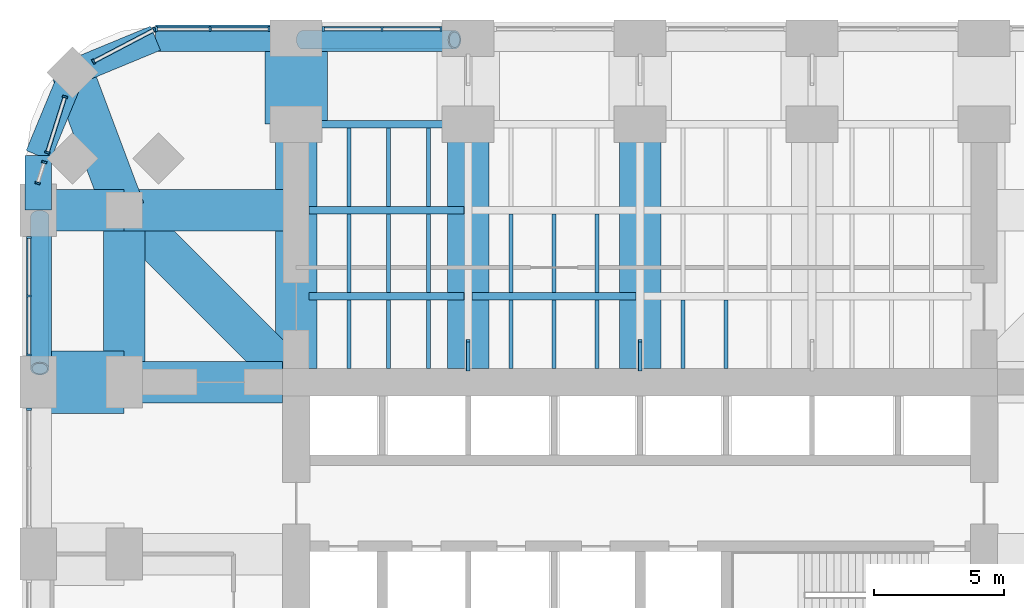
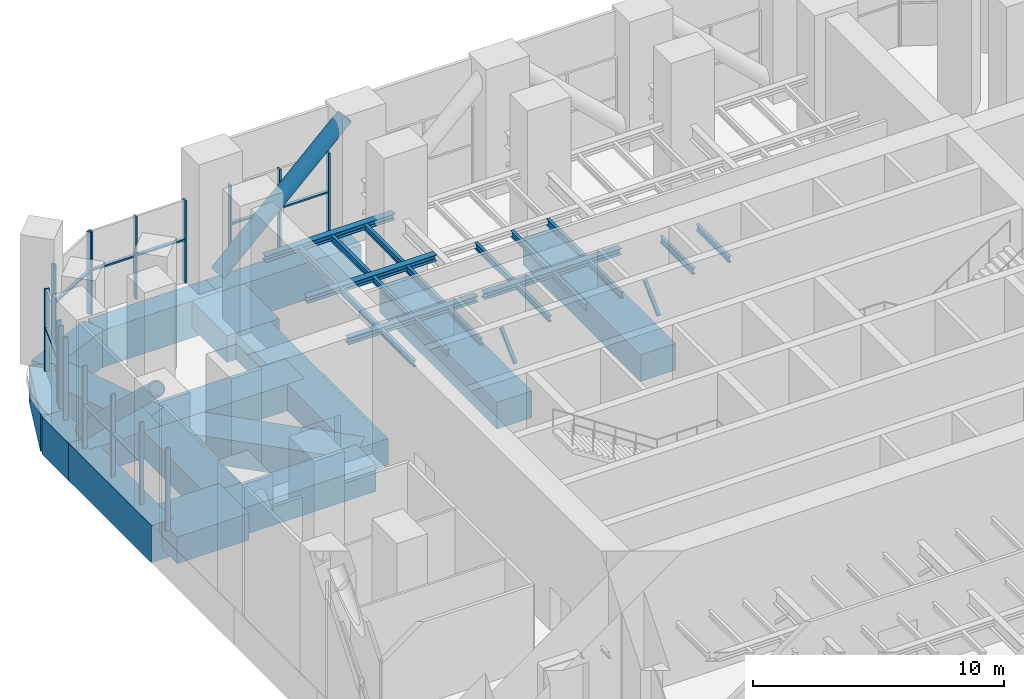
# One storey, part 7 of 16: 38 beams, 28 members, 7 elements without a shape of their own.
"""IFC4 building model written with IfcOpenShell, lengths in metres."""

import ifcopenshell
import ifcopenshell.guid

model = None  # the IFC model being written
_history = None  # IfcOwnerHistory: only IFC2X3 demands one
_inside = {}  # id of a spatial element -> (the spatial element, [elements in it])
_under = {}  # id of a project, library or spatial element -> (it, [spatial elements below it])
_declared = {}  # id of a project -> (the project, [libraries it declares])
_typed = {}  # id of a type object -> (the type object, [elements of that type])
_made_of = {}  # id of a material, layer set ... -> (it, [elements and type objects made of it])


def new_model(schema):
    """Start an empty IFC model of exactly this schema.

    Asked for "IFC4X3", IfcOpenShell would pick the latest addendum, in which some entities
    have other attributes; the version numbers below select the first issue.
    IFC2X3 requires an IfcOwnerHistory on every rooted entity: one is made here for all.
    """
    global model, _history
    if schema == "IFC4X3":
        model = ifcopenshell.file(schema_version=(4, 3, 0, 0))
    else:
        model = ifcopenshell.file(schema=schema)
    _inside.clear()
    _under.clear()
    _declared.clear()
    _typed.clear()
    _made_of.clear()
    _history = None
    if model.schema == "IFC2X3":
        org = make("IfcOrganization", Name="unknown")
        user = make(
            "IfcPersonAndOrganization",
            ThePerson=make("IfcPerson", FamilyName="unknown"),
            TheOrganization=org,
        )
        app = make(
            "IfcApplication",
            ApplicationDeveloper=org,
            Version="unknown",
            ApplicationFullName="unknown",
            ApplicationIdentifier="unknown",
        )
        _history = make(
            "IfcOwnerHistory",
            OwningUser=user,
            OwningApplication=app,
            ChangeAction="ADDED",
            CreationDate=0,
        )
    return model


def make(cls, **values):
    """One entity of the class cls with the attributes given. An attribute that is None is left unset."""
    return model.create_entity(
        cls, **{name: value for name, value in values.items() if value is not None}
    )


def rooted(cls, **values):
    """An entity with a GlobalId (a new one), such as an element, a storey or a relation."""
    return make(cls, GlobalId=ifcopenshell.guid.new(), OwnerHistory=_history, **values)


def si_unit(unit_type, name, prefix=None):
    """IfcSIUnit, for example si_unit("LENGTHUNIT", "METRE", prefix="MILLI")."""
    return make("IfcSIUnit", UnitType=unit_type, Prefix=prefix, Name=name)


def assignment(units):
    """IfcUnitAssignment: the units of a project."""
    return None if units is None else make("IfcUnitAssignment", Units=units)


def point(xyz):
    """IfcCartesianPoint."""
    return None if xyz is None else make("IfcCartesianPoint", Coordinates=xyz)


def direction(xyz):
    """IfcDirection."""
    return None if xyz is None else make("IfcDirection", DirectionRatios=xyz)


def frame(location, z_axis=None, x_axis=None):
    """IfcAxis2Placement3D, a coordinate frame: its origin and axes. An axis left out is left unset."""
    return make(
        "IfcAxis2Placement3D",
        Location=point(location),
        Axis=direction(z_axis),
        RefDirection=direction(x_axis),
    )


def frame_2d(location, x_axis=None):
    """IfcAxis2Placement2D, a coordinate frame in the plane: its origin and x axis."""
    return make(
        "IfcAxis2Placement2D", Location=point(location), RefDirection=direction(x_axis)
    )


def origin():
    """The frame at (0, 0, 0) with its axes left unset."""
    return frame((0.0, 0.0, 0.0))


def origin_2d():
    """The frame at (0, 0) in the plane with its x axis left unset."""
    return frame_2d((0.0, 0.0))


def place(relative_to, where):
    """IfcLocalPlacement: puts the frame where relative to a parent placement (None: the world)."""
    return make(
        "IfcLocalPlacement", PlacementRelTo=relative_to, RelativePlacement=where
    )


def context(
    kind, dimensions, precision=None, world=None, true_north=None, identifier=None
):
    """IfcGeometricRepresentationContext, for example the 3D "Model" context."""
    return make(
        "IfcGeometricRepresentationContext",
        ContextIdentifier=identifier,
        ContextType=kind,
        CoordinateSpaceDimension=dimensions,
        Precision=precision,
        WorldCoordinateSystem=world,
        TrueNorth=true_north,
    )


def subcontext(parent, identifier, kind, view, scale=None):
    """IfcGeometricRepresentationSubContext, for example "Body" below "Model"."""
    return make(
        "IfcGeometricRepresentationSubContext",
        ContextIdentifier=identifier,
        ContextType=kind,
        ParentContext=parent,
        TargetScale=scale,
        TargetView=view,
    )


def project(units=None, contexts=None):
    """IfcProject with its units and contexts."""
    return rooted(
        "IfcProject",
        Name="project",
        RepresentationContexts=contexts,
        UnitsInContext=assignment(units),
    )


def spatial(cls, under=None, at=None, **own):
    """A site, building, storey or space (cls), placed at a placement, below another one or the project."""
    s = rooted(cls, ObjectPlacement=at, **own)
    if under is not None:
        _under.setdefault(under.id(), (under, []))[1].append(s)
    return s


def profile(cls, at=None, kind="AREA", **sizes):
    """A parametric profile (cls). Its sizes go by their IFC names, for example OverallWidth=200.0."""
    return make(cls, ProfileType=kind, Position=at, **sizes)


def rectangle(**sizes):
    """IfcRectangleProfileDef."""
    return profile("IfcRectangleProfileDef", **sizes)


def hollow_rectangle(**sizes):
    """IfcRectangleHollowProfileDef."""
    return profile("IfcRectangleHollowProfileDef", **sizes)


def hollow_circle(**sizes):
    """IfcCircleHollowProfileDef."""
    return profile("IfcCircleHollowProfileDef", **sizes)


def i_section(**sizes):
    """IfcIShapeProfileDef."""
    return profile("IfcIShapeProfileDef", **sizes)


def extrude(swept, where, along, depth):
    """IfcExtrudedAreaSolid: the profile swept, set in the frame where, extruded along a direction by depth."""
    return make(
        "IfcExtrudedAreaSolid",
        SweptArea=swept,
        Position=where,
        ExtrudedDirection=direction(along),
        Depth=depth,
    )


def shape(context_of_items, identifier, shape_type, items):
    """IfcShapeRepresentation: the items that make up one representation, for example the "Body"."""
    return make(
        "IfcShapeRepresentation",
        ContextOfItems=context_of_items,
        RepresentationIdentifier=identifier,
        RepresentationType=shape_type,
        Items=items,
    )


def material(Name=None, Category=None):
    """IfcMaterial."""
    return make("IfcMaterial", Name=Name, Category=Category)


def material_profile(
    of_material, cross_section, Name=None, Category=None, Priority=None
):
    """IfcMaterialProfile: a cross section and its material."""
    return make(
        "IfcMaterialProfile",
        Name=Name,
        Material=of_material,
        Profile=cross_section,
        Priority=Priority,
        Category=Category,
    )


def profile_set(profiles, Name=None, composite=None):
    """IfcMaterialProfileSet."""
    return make(
        "IfcMaterialProfileSet",
        Name=Name,
        MaterialProfiles=profiles,
        CompositeProfile=composite,
    )


def made_of(thing, what):
    """Note that an element or type object is made of a material, layer set ...; save() writes the relation."""
    if what is not None:
        _made_of.setdefault(what.id(), (what, []))[1].append(thing)
    return thing


def type_object(cls, material=None, **own):
    """A type object (cls), such as IfcWallType, which elements share."""
    return made_of(rooted(cls, **own), material)


def element(
    cls,
    number,
    at=None,
    inside=None,
    cuts=None,
    type_object=None,
    material=None,
    context=None,
    identifier="Body",
    shape_type=None,
    held_by="IfcProductDefinitionShape",
    body=None,
    shapes=None,
    **own,
):
    """One element of the class cls, such as IfcWall. Its Tag is "e" and its number.

    at: its placement. inside: the storey or other place that contains it. cuts: it is an
    opening in that element (IfcRelVoidsElement). A single representation is given by context,
    identifier, shape_type and body (its items); several are given by shapes. held_by: the class
    of the entity that holds the representations. save() writes the other relations.
    """
    e = rooted(cls, Tag="e%d" % number, ObjectPlacement=at, **own)
    if body is not None:
        shapes = [shape(context, identifier, shape_type, body)]
    if shapes is not None:
        e.Representation = make(held_by, Representations=shapes)
    if inside is not None:
        _inside.setdefault(inside.id(), (inside, []))[1].append(e)
    if cuts is not None:
        rooted(
            "IfcRelVoidsElement", RelatingBuildingElement=cuts, RelatedOpeningElement=e
        )
    if type_object is not None:
        _typed.setdefault(type_object.id(), (type_object, []))[1].append(e)
    return made_of(e, material)


def aggregate(whole, parts):
    """IfcRelAggregates: a whole, such as a stair, and the parts it consists of."""
    return rooted("IfcRelAggregates", RelatingObject=whole, RelatedObjects=parts)


def save(model, path):
    """Write the relations noted so far, then the file.

    IfcRelAggregates (storeys below a building ...), IfcRelContainedInSpatialStructure (elements
    in a storey), IfcRelDefinesByType, IfcRelAssociatesMaterial and IfcRelDeclares: one each for
    every whole, place, type object, material and project.
    """
    for whole, parts in _under.values():
        aggregate(whole, parts)
    for where, things in _inside.values():
        rooted(
            "IfcRelContainedInSpatialStructure",
            RelatedElements=things,
            RelatingStructure=where,
        )
    for kind, things in _typed.values():
        rooted("IfcRelDefinesByType", RelatedObjects=things, RelatingType=kind)
    for what, things in _made_of.values():
        rooted("IfcRelAssociatesMaterial", RelatedObjects=things, RelatingMaterial=what)
    for by, libraries in _declared.values():
        rooted("IfcRelDeclares", RelatingContext=by, RelatedDefinitions=libraries)
    model.write(path)


model = new_model("IFC4")

# Units and contexts
model_context = context("Model", 3, precision=1e-05, world=origin(), true_north=direction((0.0, 1.0)))
body_context = subcontext(model_context, "Body", "Model", "MODEL_VIEW")
ifc_project = project(units=[si_unit("LENGTHUNIT", "METRE"), si_unit("AREAUNIT", "SQUARE_METRE"), si_unit("VOLUMEUNIT", "CUBIC_METRE"), si_unit("PLANEANGLEUNIT", "RADIAN"), si_unit("MASSUNIT", "GRAM", prefix="KILO")], contexts=[model_context])

# Site, building, storey
site_placement = place(None, origin())
site = spatial("IfcSite", under=ifc_project, at=site_placement, CompositionType="ELEMENT")
building_placement = place(site_placement, origin())
building = spatial("IfcBuilding", under=site, at=building_placement, Name="Cobogo Forest Laboratory Tower", CompositionType="ELEMENT")
storey_placement = place(building_placement, frame((0.0, 0.0, 149.39990234375)))
storey = spatial("IfcBuildingStorey", under=building, at=storey_placement, Name="L34", CompositionType="ELEMENT", Elevation=149.39990234375)

# Members
ifc_material_1 = material(Name="Steel S460NH", Category="steel")
ifc_material_profile_1 = material_profile(ifc_material_1, hollow_circle(Radius=0.35546875, WallThickness=0.06005859375, at=origin_2d()), Name="CHS 711x60")
ifc_profile_set_1 = profile_set([ifc_material_profile_1], Name="Steel S460NH")
member_type_1 = type_object("IfcMemberType", Name="Belt truss diagonal CHS 711x60", PredefinedType="BRACE", material=ifc_profile_set_1)
for number, where, z_axis, x_axis, name in (
    (1, (13.449951171875, 46.139892578125, 0.23876953125), (0.723363796511, 0.0, 0.690467101242), (0.0, 1.0, 0.0), "BT1 belt truss diagonal N11 L34"),
    (2, (3.360107421875, 39.35009765625, 0.23876953125), (0.0, -0.723363796511, 0.690467101242), (1.0, 0.0, 0.0), "BT1 belt truss diagonal W20 L34"),
):
    element("IfcMember", number, at=place(storey_placement, frame(where, z_axis=z_axis, x_axis=x_axis)), inside=storey, type_object=member_type_1, Name=name, PredefinedType="BRACE", context=body_context, shape_type="SweptSolid", body=[
        extrude(hollow_circle(Radius=0.35546875, WallThickness=0.06005859375, at=origin_2d()), origin(), (0.0, 0.0, 1.0), 8.0595703125),
    ])

# Curtain wall, members
ifc_material_2 = material(Name="Aluminium curtain wall", Category="aluminium")
curtain_wall_type = type_object("IfcCurtainWallType", Name="CW-P louvred curtain wall, plant floors", PredefinedType="USERDEFINED", material=ifc_material_2)
curtain_wall_1_placement = place(storey_placement, origin())
curtain_wall_1 = element("IfcCurtainWall", 3, at=curtain_wall_1_placement, inside=storey, type_object=curtain_wall_type, Name="Curtain wall 22 L34", ObjectType="LOUVRED CURTAIN WALL", PredefinedType="USERDEFINED")
ifc_material_3 = material(Name="Aluminium mullion", Category="aluminium")
ifc_material_profile_2 = material_profile(ifc_material_3, rectangle(XDim=0.080078125, YDim=0.199951171875, at=origin_2d()), Name="AL 80x200")
ifc_profile_set_2 = profile_set([ifc_material_profile_2], Name="Aluminium mullion")
member_type_2 = type_object("IfcMemberType", Name="MU-3 aluminium louvre mullion 80x200", PredefinedType="MULLION", material=ifc_profile_set_2)
member_1_placement = place(storey_placement, frame((18.760009765625, 46.550048828125, 0.0), z_axis=(0.0, 0.0, 1.0), x_axis=(-1.0, 0.0, 0.0)))
member_1 = element("IfcMember", 4, at=member_1_placement, type_object=member_type_2, Name="CW-P mullion 1", PredefinedType="MULLION", context=body_context, shape_type="SweptSolid", body=[
    extrude(rectangle(XDim=0.080078125, YDim=0.199951171875, at=origin_2d()), origin(), (0.0, 0.0, 1.0), 4.0),
])
member_2_placement = place(storey_placement, frame((16.5, 46.550048828125, 0.0), z_axis=(0.0, 0.0, 1.0), x_axis=(-1.0, 0.0, 0.0)))
member_2 = element("IfcMember", 5, at=member_2_placement, type_object=member_type_2, Name="CW-P mullion 2", PredefinedType="MULLION", context=body_context, shape_type="SweptSolid", body=[
    extrude(rectangle(XDim=0.080078125, YDim=0.199951171875, at=origin_2d()), origin(), (0.0, 0.0, 1.0), 4.0),
])
member_3_placement = place(storey_placement, frame((14.239990234375, 46.550048828125, 0.0), z_axis=(0.0, 0.0, 1.0), x_axis=(-1.0, 0.0, 0.0)))
member_3 = element("IfcMember", 6, at=member_3_placement, type_object=member_type_2, Name="CW-P mullion 3", PredefinedType="MULLION", context=body_context, shape_type="SweptSolid", body=[
    extrude(rectangle(XDim=0.080078125, YDim=0.199951171875, at=origin_2d()), origin(), (0.0, 0.0, 1.0), 4.0),
])

curtain_wall_2_placement = place(storey_placement, origin())
curtain_wall_2 = element("IfcCurtainWall", 7, at=curtain_wall_2_placement, inside=storey, type_object=curtain_wall_type, Name="Curtain wall 23 L34", ObjectType="LOUVRED CURTAIN WALL", PredefinedType="USERDEFINED")
member_4_placement = place(storey_placement, frame((12.159912109375, 46.550048828125, 0.0), z_axis=(0.0, 0.0, 1.0), x_axis=(-1.0, 0.0, 0.0)))
member_4 = element("IfcMember", 8, at=member_4_placement, type_object=member_type_2, Name="CW-P mullion 1", PredefinedType="MULLION", context=body_context, shape_type="SweptSolid", body=[
    extrude(rectangle(XDim=0.080078125, YDim=0.199951171875, at=origin_2d()), origin(), (0.0, 0.0, 1.0), 4.0),
])
member_5_placement = place(storey_placement, frame((9.89990234375, 46.550048828125, 0.0), z_axis=(0.0, 0.0, 1.0), x_axis=(-1.0, 0.0, 0.0)))
member_5 = element("IfcMember", 9, at=member_5_placement, type_object=member_type_2, Name="CW-P mullion 2", PredefinedType="MULLION", context=body_context, shape_type="SweptSolid", body=[
    extrude(rectangle(XDim=0.080078125, YDim=0.199951171875, at=origin_2d()), origin(), (0.0, 0.0, 1.0), 4.0),
])
member_6_placement = place(storey_placement, frame((7.840087890625, 46.550048828125, 0.0), z_axis=(0.0, 0.0, 1.0), x_axis=(-1.0, 0.0, 0.0)))
member_6 = element("IfcMember", 10, at=member_6_placement, type_object=member_type_2, Name="CW-P mullion 3", PredefinedType="MULLION", context=body_context, shape_type="SweptSolid", body=[
    extrude(rectangle(XDim=0.080078125, YDim=0.199951171875, at=origin_2d()), origin(), (0.0, 0.0, 1.0), 4.0),
])

curtain_wall_3_placement = place(storey_placement, origin())
curtain_wall_3 = element("IfcCurtainWall", 11, at=curtain_wall_3_placement, inside=storey, type_object=curtain_wall_type, Name="Curtain wall 24 L34", ObjectType="LOUVRED CURTAIN WALL", PredefinedType="USERDEFINED")
member_7_placement = place(storey_placement, frame((7.7646484375, 46.531494140625, 0.0), z_axis=(0.0, 0.0, 1.0), x_axis=(-0.885686540666, -0.464283697413, 0.0)))
member_7 = element("IfcMember", 12, at=member_7_placement, type_object=member_type_2, Name="CW-P mullion 1", PredefinedType="MULLION", context=body_context, shape_type="SweptSolid", body=[
    extrude(rectangle(XDim=0.080078125, YDim=0.199951171875, at=origin_2d()), origin(), (0.0, 0.0, 1.0), 4.0),
])
member_8_placement = place(storey_placement, frame((5.423583984375, 45.30419921875, 0.0), z_axis=(0.0, 0.0, 1.0), x_axis=(-0.885686540666, -0.464283697413, 0.0)))
member_8 = element("IfcMember", 13, at=member_8_placement, type_object=member_type_2, Name="CW-P mullion 2", PredefinedType="MULLION", context=body_context, shape_type="SweptSolid", body=[
    extrude(rectangle(XDim=0.080078125, YDim=0.199951171875, at=origin_2d()), origin(), (0.0, 0.0, 1.0), 4.0),
])

curtain_wall_4_placement = place(storey_placement, origin())
curtain_wall_4 = element("IfcCurtainWall", 14, at=curtain_wall_4_placement, inside=storey, type_object=curtain_wall_type, Name="Curtain wall 25 L34", ObjectType="LOUVRED CURTAIN WALL", PredefinedType="USERDEFINED")
member_9_placement = place(storey_placement, frame((4.32421875, 43.95166015625, 0.0), z_axis=(0.0, 0.0, 1.0), x_axis=(-0.301135343623, -0.953581409645, 0.0)))
member_9 = element("IfcMember", 15, at=member_9_placement, type_object=member_type_2, Name="CW-P mullion 1", PredefinedType="MULLION", context=body_context, shape_type="SweptSolid", body=[
    extrude(rectangle(XDim=0.080078125, YDim=0.199951171875, at=origin_2d()), origin(), (0.0, 0.0, 1.0), 4.0),
])
member_10_placement = place(storey_placement, frame((3.648681640625, 41.8125, 0.0), z_axis=(0.0, 0.0, 1.0), x_axis=(-0.301135343623, -0.953581409645, 0.0)))
member_10 = element("IfcMember", 16, at=member_10_placement, type_object=member_type_2, Name="CW-P mullion 2", PredefinedType="MULLION", context=body_context, shape_type="SweptSolid", body=[
    extrude(rectangle(XDim=0.080078125, YDim=0.199951171875, at=origin_2d()), origin(), (0.0, 0.0, 1.0), 4.0),
])

curtain_wall_5_placement = place(storey_placement, origin())
curtain_wall_5 = element("IfcCurtainWall", 17, at=curtain_wall_5_placement, inside=storey, type_object=curtain_wall_type, Name="Curtain wall 26 L34", ObjectType="LOUVRED CURTAIN WALL", PredefinedType="USERDEFINED")
member_11_placement = place(storey_placement, frame((3.5322265625, 41.44384765625, 0.0), z_axis=(0.0, 0.0, 1.0), x_axis=(-0.301135352577, -0.953581406818, 0.0)))
member_11 = element("IfcMember", 18, at=member_11_placement, type_object=member_type_2, Name="CW-P mullion 1", PredefinedType="MULLION", context=body_context, shape_type="SweptSolid", body=[
    extrude(rectangle(XDim=0.080078125, YDim=0.199951171875, at=origin_2d()), origin(), (0.0, 0.0, 1.0), 4.0),
])
member_12_placement = place(storey_placement, frame((3.27783203125, 40.63818359375, 0.0), z_axis=(0.0, 0.0, 1.0), x_axis=(-0.301135352577, -0.953581406818, 0.0)))
member_12 = element("IfcMember", 19, at=member_12_placement, type_object=member_type_2, Name="CW-P mullion 2", PredefinedType="MULLION", context=body_context, shape_type="SweptSolid", body=[
    extrude(rectangle(XDim=0.080078125, YDim=0.199951171875, at=origin_2d()), origin(), (0.0, 0.0, 1.0), 4.0),
])
aggregate(curtain_wall_5, [member_11, member_12])

curtain_wall_6_placement = place(storey_placement, origin())
curtain_wall_6 = element("IfcCurtainWall", 20, at=curtain_wall_6_placement, inside=storey, type_object=curtain_wall_type, Name="Curtain wall 27 L34", ObjectType="LOUVRED CURTAIN WALL", PredefinedType="USERDEFINED")
member_13_placement = place(storey_placement, frame((2.949951171875, 38.56005859375, 0.0), z_axis=(0.0, 0.0, 1.0), x_axis=(0.0, -1.0, 0.0)))
member_13 = element("IfcMember", 21, at=member_13_placement, type_object=member_type_2, Name="CW-P mullion 1", PredefinedType="MULLION", context=body_context, shape_type="SweptSolid", body=[
    extrude(rectangle(XDim=0.080078125, YDim=0.199951171875, at=origin_2d()), origin(), (0.0, 0.0, 1.0), 4.0),
])
member_14_placement = place(storey_placement, frame((2.949951171875, 36.300048828125, 0.0), z_axis=(0.0, 0.0, 1.0), x_axis=(0.0, -1.0, 0.0)))
member_14 = element("IfcMember", 22, at=member_14_placement, type_object=member_type_2, Name="CW-P mullion 2", PredefinedType="MULLION", context=body_context, shape_type="SweptSolid", body=[
    extrude(rectangle(XDim=0.080078125, YDim=0.199951171875, at=origin_2d()), origin(), (0.0, 0.0, 1.0), 4.0),
])
member_15_placement = place(storey_placement, frame((2.949951171875, 34.0400390625, 0.0), z_axis=(0.0, 0.0, 1.0), x_axis=(0.0, -1.0, 0.0)))
member_15 = element("IfcMember", 23, at=member_15_placement, type_object=member_type_2, Name="CW-P mullion 3", PredefinedType="MULLION", context=body_context, shape_type="SweptSolid", body=[
    extrude(rectangle(XDim=0.080078125, YDim=0.199951171875, at=origin_2d()), origin(), (0.0, 0.0, 1.0), 4.0),
])

# Curtain wall, member
curtain_wall_7_placement = place(storey_placement, origin())
curtain_wall_7 = element("IfcCurtainWall", 24, at=curtain_wall_7_placement, inside=storey, type_object=curtain_wall_type, Name="Curtain wall 28 L34", ObjectType="LOUVRED CURTAIN WALL", PredefinedType="USERDEFINED")
member_16_placement = place(storey_placement, frame((2.949951171875, 31.9599609375, 0.0), z_axis=(0.0, 0.0, 1.0), x_axis=(0.0, -1.0, 0.0)))
member_16 = element("IfcMember", 25, at=member_16_placement, type_object=member_type_2, Name="CW-P mullion 1", PredefinedType="MULLION", context=body_context, shape_type="SweptSolid", body=[
    extrude(rectangle(XDim=0.080078125, YDim=0.199951171875, at=origin_2d()), origin(), (0.0, 0.0, 1.0), 4.0),
])
aggregate(curtain_wall_7, [member_16])

# Beams
ifc_material_4 = material(Name="Concrete HA-40 (C40/50)", Category="concrete")
ifc_material_profile_3 = material_profile(ifc_material_4, rectangle(XDim=1.60009765625, YDim=1.300048828125, at=origin_2d()), Name="RC 1600x1300")
ifc_profile_set_3 = profile_set([ifc_material_profile_3], Name="Concrete HA-40 (C40/50)")
beam_type_1 = type_object("IfcBeamType", Name="Plant and roof garden wide beam 1600x1300", PredefinedType="BEAM", material=ifc_profile_set_3)
for number, where, z_axis, x_axis, name in (
    (26, (13.199951171875, 33.52490234375, -1.0), (0.0, 1.0, 0.0), (-1.0, 0.0, 0.0), "RB4 R-3-N L34"),
    (27, (19.800048828125, 33.52490234375, -1.0), (0.0, 1.0, 0.0), (-1.0, 0.0, 0.0), "RB4 R-4-N L34"),
    (28, (26.39990234375, 33.52490234375, -1.0), (0.0, 1.0, 0.0), (-1.0, 0.0, 0.0), "RB4 R-5-N L34"),
):
    element("IfcBeam", number, at=place(storey_placement, frame(where, z_axis=z_axis, x_axis=x_axis)), inside=storey, type_object=beam_type_1, Name=name, PredefinedType="BEAM", context=body_context, shape_type="SweptSolid", body=[
        extrude(rectangle(XDim=1.60009765625, YDim=1.300048828125, at=origin_2d()), origin(), (0.0, 0.0, 1.0), 9.375),
    ])
beam_1_placement = place(storey_placement, frame((12.675048828125, 33.0, -1.0), z_axis=(-1.0, 0.0, 0.0), x_axis=(0.0, -1.0, 0.0)))
element("IfcBeam", 29, at=beam_1_placement, inside=storey, type_object=beam_type_1, Name="RB4 R-F-W L34", PredefinedType="BEAM", context=body_context, shape_type="SweptSolid", body=[
    extrude(rectangle(XDim=1.60009765625, YDim=1.300048828125, at=origin_2d()), origin(), (0.0, 0.0, 1.0), 6.074951171875),
])
beam_2_placement = place(storey_placement, frame((6.60009765625, 39.60009765625, -1.0), z_axis=(0.0, -1.0, 0.0), x_axis=(1.0, 0.0, 0.0)))
element("IfcBeam", 30, at=beam_2_placement, inside=storey, type_object=beam_type_1, Name="RB4 G-NW-XC L34", PredefinedType="BEAM", context=body_context, shape_type="SweptSolid", body=[
    extrude(rectangle(XDim=1.60009765625, YDim=1.300048828125, at=origin_2d()), origin(), (0.0, 0.0, 1.0), 6.60009765625),
])
beam_3_placement = place(storey_placement, frame((3.300048828125, 39.60009765625, -1.0), z_axis=(1.0, 0.0, 0.0), x_axis=(0.0, 1.0, 0.0)))
element("IfcBeam", 31, at=beam_3_placement, inside=storey, type_object=beam_type_1, Name="RB4 G-NW-YF L34", PredefinedType="BEAM", context=body_context, shape_type="SweptSolid", body=[
    extrude(rectangle(XDim=1.60009765625, YDim=1.300048828125, at=origin_2d()), origin(), (0.0, 0.0, 1.0), 3.300048828125),
])
beam_4_placement = place(storey_placement, frame((6.60009765625, 39.60009765625, -1.0), z_axis=(1.0, 0.0, 0.0), x_axis=(0.0, 1.0, 0.0)))
element("IfcBeam", 32, at=beam_4_placement, inside=storey, type_object=beam_type_1, Name="RB4 G-NW-YC L34", PredefinedType="BEAM", context=body_context, shape_type="SweptSolid", body=[
    extrude(rectangle(XDim=1.60009765625, YDim=1.300048828125, at=origin_2d()), origin(), (0.0, 0.0, 1.0), 6.599853515625),
])
beam_5_placement = place(storey_placement, frame((4.617919921875, 44.882080078125, -1.0), z_axis=(0.351346325373, -0.936245565889, 0.0), x_axis=(0.936245565889, 0.351346325373, 0.0)))
element("IfcBeam", 33, at=beam_5_placement, inside=storey, type_object=beam_type_1, Name="RB4 G-NW-D1 L34", PredefinedType="BEAM", context=body_context, shape_type="SweptSolid", body=[
    extrude(rectangle(XDim=1.60009765625, YDim=1.300048828125, at=origin_2d()), origin(), (0.0, 0.0, 1.0), 5.6416015625),
])
beam_6_placement = place(storey_placement, frame((6.60009765625, 39.60009765625, -1.0), z_axis=(0.707092572697, -0.70712098939, 0.0), x_axis=(0.70712098939, 0.707092572697, 0.0)))
element("IfcBeam", 34, at=beam_6_placement, inside=storey, type_object=beam_type_1, Name="RB4 G-NW-D2 L34", PredefinedType="BEAM", context=body_context, shape_type="SweptSolid", body=[
    extrude(rectangle(XDim=1.60009765625, YDim=1.300048828125, at=origin_2d()), origin(), (0.0, 0.0, 1.0), 8.591552734375),
])
ifc_material_5 = material(Name="Concrete HA-50 (C50/60)", Category="concrete")
ifc_material_profile_4 = material_profile(ifc_material_5, rectangle(XDim=2.39990234375, YDim=1.300048828125, at=origin_2d()), Name="RC 2400x1300")
ifc_profile_set_4 = profile_set([ifc_material_profile_4], Name="Concrete HA-50 (C50/60)")
beam_type_2 = type_object("IfcBeamType", Name="Plant floor end-bay beam 2400x1300", PredefinedType="BEAM", material=ifc_profile_set_4)
for number, where, z_axis, x_axis, name in (
    (35, (13.199951171875, 46.199951171875, -1.0), (0.0, -1.0, 0.0), (1.0, 0.0, 0.0), "RB6 R-3-N-X L34"),
    (36, (3.300048828125, 33.0, -1.0), (1.0, 0.0, 0.0), (0.0, 1.0, 0.0), "RB6 R-F-W-X L34"),
):
    element("IfcBeam", number, at=place(storey_placement, frame(where, z_axis=z_axis, x_axis=x_axis)), inside=storey, type_object=beam_type_2, Name=name, PredefinedType="BEAM", context=body_context, shape_type="SweptSolid", body=[
        extrude(rectangle(XDim=2.39990234375, YDim=1.300048828125, at=origin_2d()), origin(), (0.0, 0.0, 1.0), 3.300048828125),
    ])
ifc_material_profile_5 = material_profile(ifc_material_4, rectangle(XDim=1.0, YDim=1.800048828125, at=origin_2d()), Name="RC 1000x1800")
ifc_profile_set_5 = profile_set([ifc_material_profile_5], Name="Concrete HA-40 (C40/50)")
beam_type_3 = type_object("IfcBeamType", Name="Plant floor perimeter girder 1000x1800", PredefinedType="BEAM", material=ifc_profile_set_5)
for number, where, z_axis, x_axis, name in (
    (37, (13.199951171875, 46.199951171875, -1.25), (1.0, 0.0, 0.0), (0.0, 1.0, 0.0), "TG1 E-N1 L34"),
    (38, (3.300048828125, 33.0, -1.25), (0.0, 1.0, 0.0), (-1.0, 0.0, 0.0), "TG1 E-W5 L34"),
):
    element("IfcBeam", number, at=place(storey_placement, frame(where, z_axis=z_axis, x_axis=x_axis)), inside=storey, type_object=beam_type_3, Name=name, PredefinedType="BEAM", context=body_context, shape_type="SweptSolid", body=[
        extrude(rectangle(XDim=1.0, YDim=1.800048828125, at=origin_2d()), origin(), (0.0, 0.0, 1.0), 6.60009765625),
    ])
beam_7_placement = place(storey_placement, frame((13.199951171875, 46.199951171875, -1.25), z_axis=(-1.0, 0.0, 0.0), x_axis=(0.0, -1.0, 0.0)))
element("IfcBeam", 39, at=beam_7_placement, inside=storey, type_object=beam_type_3, Name="TG1 E-NWN1 L34", PredefinedType="BEAM", context=body_context, shape_type="SweptSolid", body=[
    extrude(rectangle(XDim=1.0, YDim=1.800048828125, at=origin_2d()), origin(), (0.0, 0.0, 1.0), 5.39990234375),
])
beam_8_placement = place(storey_placement, frame((7.800048828125, 46.199951171875, -1.25), z_axis=(-0.923901072997, -0.382631424892, 0.0), x_axis=(0.382631424892, -0.923901072997, 0.0)))
element("IfcBeam", 40, at=beam_8_placement, inside=storey, type_object=beam_type_3, Name="TG1 E-NWN2 L34", PredefinedType="BEAM", context=body_context, shape_type="SweptSolid", body=[
    extrude(rectangle(XDim=1.0, YDim=1.800048828125, at=origin_2d()), origin(), (0.0, 0.0, 1.0), 3.4443359375),
])
beam_9_placement = place(storey_placement, frame((3.300048828125, 39.60009765625, -1.25), z_axis=(0.0, 1.0, 0.0), x_axis=(-1.0, 0.0, 0.0)))
element("IfcBeam", 41, at=beam_9_placement, inside=storey, type_object=beam_type_3, Name="TG1 E-NWW1 L34", PredefinedType="BEAM", context=body_context, shape_type="SweptSolid", body=[
    extrude(rectangle(XDim=1.0, YDim=1.800048828125, at=origin_2d()), origin(), (0.0, 0.0, 1.0), 2.099853515625),
])
beam_10_placement = place(storey_placement, frame((3.300048828125, 41.699951171875, -1.25), z_axis=(0.382631424892, 0.923901072997, 0.0), x_axis=(-0.923901072997, 0.382631424892, 0.0)))
element("IfcBeam", 42, at=beam_10_placement, inside=storey, type_object=beam_type_3, Name="TG1 E-NWW2 L34", PredefinedType="BEAM", context=body_context, shape_type="SweptSolid", body=[
    extrude(rectangle(XDim=1.0, YDim=1.800048828125, at=origin_2d()), origin(), (0.0, 0.0, 1.0), 3.4443359375),
])

# Members
ifc_material_6 = material(Name="Steel S355", Category="steel")
ifc_material_profile_6 = material_profile(ifc_material_6, hollow_rectangle(XDim=0.14990234375, YDim=0.14990234375, WallThickness=0.008056640625, InnerFilletRadius=0.008056640625, OuterFilletRadius=0.011962890625, at=origin_2d()), Name="SHS 150x8")
ifc_profile_set_6 = profile_set([ifc_material_profile_6], Name="Steel S355")
member_type_3 = type_object("IfcMemberType", Name="Plant knee brace SHS 150x8", PredefinedType="BRACE", material=ifc_profile_set_6)
for number, where, z_axis, x_axis, name in (
    (43, (19.800048828125, 33.471923828125, 1.300048828125), (0.0, 0.725172744362, 0.68856698355), (-1.0, 0.0, 0.0), "PX2 AHU-N knee brace 4-2 L34"),
    (44, (26.39990234375, 33.471923828125, 1.300048828125), (0.0, 0.725172744362, 0.68856698355), (-1.0, 0.0, 0.0), "PX2 AHU-N knee brace 5-2 L34"),
):
    element("IfcMember", number, at=place(storey_placement, frame(where, z_axis=z_axis, x_axis=x_axis)), inside=storey, type_object=member_type_3, Name=name, PredefinedType="BRACE", context=body_context, shape_type="SweptSolid", body=[
        extrude(hollow_rectangle(XDim=0.14990234375, YDim=0.14990234375, WallThickness=0.008056640625, InnerFilletRadius=0.008056640625, OuterFilletRadius=0.011962890625, at=origin_2d()), origin(), (0.0, 0.0, 1.0), 1.54736328125),
    ])

# Beams
ifc_material_profile_7 = material_profile(ifc_material_6, i_section(OverallWidth=0.300048828125, OverallDepth=0.300048828125, WebThickness=0.010986328125, FlangeThickness=0.01904296875, FilletRadius=0.027099609375, at=origin_2d()), Name="HEB 300")
ifc_profile_set_7 = profile_set([ifc_material_profile_7], Name="Steel S355")
beam_type_4 = type_object("IfcBeamType", Name="Plant platform beam HEB 300", PredefinedType="BEAM", material=ifc_profile_set_7)
for number, where, z_axis, x_axis, name in (
    (45, (13.699951171875, 42.89990234375, 2.85009765625), (1.0, 0.0, 0.0), (0.0, 1.0, 0.0), "PB2 AHU-N platform beam 1 at 3300 L34"),
    (46, (13.699951171875, 39.60009765625, 2.85009765625), (1.0, 0.0, 0.0), (0.0, 1.0, 0.0), "PB2 AHU-N platform beam 1 at 6600 L34"),
    (47, (13.699951171875, 36.300048828125, 2.85009765625), (1.0, 0.0, 0.0), (0.0, 1.0, 0.0), "PB2 AHU-N platform beam 1 at 9900 L34"),
):
    element("IfcBeam", number, at=place(storey_placement, frame(where, z_axis=z_axis, x_axis=x_axis)), inside=storey, type_object=beam_type_4, Name=name, PredefinedType="BEAM", context=body_context, shape_type="SweptSolid", body=[
        extrude(i_section(OverallWidth=0.300048828125, OverallDepth=0.300048828125, WebThickness=0.010986328125, FlangeThickness=0.01904296875, FilletRadius=0.027099609375, at=origin_2d()), origin(), (0.0, 0.0, 1.0), 5.949951171875),
    ])
beam_11_placement = place(storey_placement, frame((19.949951171875, 36.300048828125, 2.85009765625), z_axis=(1.0, 0.0, 0.0), x_axis=(0.0, 1.0, 0.0)))
element("IfcBeam", 48, at=beam_11_placement, inside=storey, type_object=beam_type_4, Name="PB2 AHU-N platform beam 2 at 9900 L34", PredefinedType="BEAM", context=body_context, shape_type="SweptSolid", body=[
    extrude(i_section(OverallWidth=0.300048828125, OverallDepth=0.300048828125, WebThickness=0.010986328125, FlangeThickness=0.01904296875, FilletRadius=0.027099609375, at=origin_2d()), origin(), (0.0, 0.0, 1.0), 6.300048828125),
])
ifc_material_profile_8 = material_profile(ifc_material_6, i_section(OverallWidth=0.14990234375, OverallDepth=0.300048828125, WebThickness=0.007080078125, FlangeThickness=0.0107421875, FilletRadius=0.014892578125, at=origin_2d()), Name="IPE 300")
ifc_profile_set_8 = profile_set([ifc_material_profile_8], Name="Steel S355")
beam_type_5 = type_object("IfcBeamType", Name="Plant platform joist IPE 300", PredefinedType="JOIST", material=ifc_profile_set_8)
for number, where, z_axis, x_axis, name in (
    (49, (15.22509765625, 42.75, 2.85009765625), (0.0, -1.0, 0.0), (1.0, 0.0, 0.0), "PJ2 AHU-N joist 1.1 row 1 L34"),
    (50, (15.22509765625, 39.449951171875, 2.85009765625), (0.0, -1.0, 0.0), (1.0, 0.0, 0.0), "PJ2 AHU-N joist 1.1 row 2 L34"),
):
    element("IfcBeam", number, at=place(storey_placement, frame(where, z_axis=z_axis, x_axis=x_axis)), inside=storey, type_object=beam_type_5, Name=name, PredefinedType="JOIST", context=body_context, shape_type="SweptSolid", body=[
        extrude(i_section(OverallWidth=0.14990234375, OverallDepth=0.300048828125, WebThickness=0.007080078125, FlangeThickness=0.0107421875, FilletRadius=0.014892578125, at=origin_2d()), origin(), (0.0, 0.0, 1.0), 3.0),
    ])
beam_12_placement = place(storey_placement, frame((15.22509765625, 36.14990234375, 2.85009765625), z_axis=(0.0, -1.0, 0.0), x_axis=(1.0, 0.0, 0.0)))
element("IfcBeam", 51, at=beam_12_placement, inside=storey, type_object=beam_type_5, Name="PJ2 AHU-N joist 1.1 row 3 L34", PredefinedType="JOIST", context=body_context, shape_type="SweptSolid", body=[
    extrude(i_section(OverallWidth=0.14990234375, OverallDepth=0.300048828125, WebThickness=0.007080078125, FlangeThickness=0.0107421875, FilletRadius=0.014892578125, at=origin_2d()), origin(), (0.0, 0.0, 1.0), 2.625),
])
for number, where, z_axis, x_axis, name in (
    (52, (16.75, 42.75, 2.85009765625), (0.0, -1.0, 0.0), (1.0, 0.0, 0.0), "PJ2 AHU-N joist 1.2 row 1 L34"),
    (53, (16.75, 39.449951171875, 2.85009765625), (0.0, -1.0, 0.0), (1.0, 0.0, 0.0), "PJ2 AHU-N joist 1.2 row 2 L34"),
):
    element("IfcBeam", number, at=place(storey_placement, frame(where, z_axis=z_axis, x_axis=x_axis)), inside=storey, type_object=beam_type_5, Name=name, PredefinedType="JOIST", context=body_context, shape_type="SweptSolid", body=[
        extrude(i_section(OverallWidth=0.14990234375, OverallDepth=0.300048828125, WebThickness=0.007080078125, FlangeThickness=0.0107421875, FilletRadius=0.014892578125, at=origin_2d()), origin(), (0.0, 0.0, 1.0), 3.0),
    ])
beam_13_placement = place(storey_placement, frame((16.75, 36.14990234375, 2.85009765625), z_axis=(0.0, -1.0, 0.0), x_axis=(1.0, 0.0, 0.0)))
element("IfcBeam", 54, at=beam_13_placement, inside=storey, type_object=beam_type_5, Name="PJ2 AHU-N joist 1.2 row 3 L34", PredefinedType="JOIST", context=body_context, shape_type="SweptSolid", body=[
    extrude(i_section(OverallWidth=0.14990234375, OverallDepth=0.300048828125, WebThickness=0.007080078125, FlangeThickness=0.0107421875, FilletRadius=0.014892578125, at=origin_2d()), origin(), (0.0, 0.0, 1.0), 2.625),
])
for number, where, z_axis, x_axis, name in (
    (55, (18.27490234375, 42.75, 2.85009765625), (0.0, -1.0, 0.0), (1.0, 0.0, 0.0), "PJ2 AHU-N joist 1.3 row 1 L34"),
    (56, (18.27490234375, 39.449951171875, 2.85009765625), (0.0, -1.0, 0.0), (1.0, 0.0, 0.0), "PJ2 AHU-N joist 1.3 row 2 L34"),
):
    element("IfcBeam", number, at=place(storey_placement, frame(where, z_axis=z_axis, x_axis=x_axis)), inside=storey, type_object=beam_type_5, Name=name, PredefinedType="JOIST", context=body_context, shape_type="SweptSolid", body=[
        extrude(i_section(OverallWidth=0.14990234375, OverallDepth=0.300048828125, WebThickness=0.007080078125, FlangeThickness=0.0107421875, FilletRadius=0.014892578125, at=origin_2d()), origin(), (0.0, 0.0, 1.0), 3.0),
    ])
beam_14_placement = place(storey_placement, frame((18.27490234375, 36.14990234375, 2.85009765625), z_axis=(0.0, -1.0, 0.0), x_axis=(1.0, 0.0, 0.0)))
element("IfcBeam", 57, at=beam_14_placement, inside=storey, type_object=beam_type_5, Name="PJ2 AHU-N joist 1.3 row 3 L34", PredefinedType="JOIST", context=body_context, shape_type="SweptSolid", body=[
    extrude(i_section(OverallWidth=0.14990234375, OverallDepth=0.300048828125, WebThickness=0.007080078125, FlangeThickness=0.0107421875, FilletRadius=0.014892578125, at=origin_2d()), origin(), (0.0, 0.0, 1.0), 2.625),
])
beam_15_placement = place(storey_placement, frame((21.449951171875, 39.449951171875, 2.85009765625), z_axis=(0.0, -1.0, 0.0), x_axis=(1.0, 0.0, 0.0)))
element("IfcBeam", 58, at=beam_15_placement, inside=storey, type_object=beam_type_5, Name="PJ2 AHU-N joist 2.1 row 2 L34", PredefinedType="JOIST", context=body_context, shape_type="SweptSolid", body=[
    extrude(i_section(OverallWidth=0.14990234375, OverallDepth=0.300048828125, WebThickness=0.007080078125, FlangeThickness=0.0107421875, FilletRadius=0.014892578125, at=origin_2d()), origin(), (0.0, 0.0, 1.0), 3.0),
])
beam_16_placement = place(storey_placement, frame((21.449951171875, 36.14990234375, 2.85009765625), z_axis=(0.0, -1.0, 0.0), x_axis=(1.0, 0.0, 0.0)))
element("IfcBeam", 59, at=beam_16_placement, inside=storey, type_object=beam_type_5, Name="PJ2 AHU-N joist 2.1 row 3 L34", PredefinedType="JOIST", context=body_context, shape_type="SweptSolid", body=[
    extrude(i_section(OverallWidth=0.14990234375, OverallDepth=0.300048828125, WebThickness=0.007080078125, FlangeThickness=0.0107421875, FilletRadius=0.014892578125, at=origin_2d()), origin(), (0.0, 0.0, 1.0), 2.625),
])
beam_17_placement = place(storey_placement, frame((23.10009765625, 39.449951171875, 2.85009765625), z_axis=(0.0, -1.0, 0.0), x_axis=(1.0, 0.0, 0.0)))
element("IfcBeam", 60, at=beam_17_placement, inside=storey, type_object=beam_type_5, Name="PJ2 AHU-N joist 2.2 row 2 L34", PredefinedType="JOIST", context=body_context, shape_type="SweptSolid", body=[
    extrude(i_section(OverallWidth=0.14990234375, OverallDepth=0.300048828125, WebThickness=0.007080078125, FlangeThickness=0.0107421875, FilletRadius=0.014892578125, at=origin_2d()), origin(), (0.0, 0.0, 1.0), 3.0),
])
beam_18_placement = place(storey_placement, frame((23.10009765625, 36.14990234375, 2.85009765625), z_axis=(0.0, -1.0, 0.0), x_axis=(1.0, 0.0, 0.0)))
element("IfcBeam", 61, at=beam_18_placement, inside=storey, type_object=beam_type_5, Name="PJ2 AHU-N joist 2.2 row 3 L34", PredefinedType="JOIST", context=body_context, shape_type="SweptSolid", body=[
    extrude(i_section(OverallWidth=0.14990234375, OverallDepth=0.300048828125, WebThickness=0.007080078125, FlangeThickness=0.0107421875, FilletRadius=0.014892578125, at=origin_2d()), origin(), (0.0, 0.0, 1.0), 2.625),
])
beam_19_placement = place(storey_placement, frame((24.75, 39.449951171875, 2.85009765625), z_axis=(0.0, -1.0, 0.0), x_axis=(1.0, 0.0, 0.0)))
element("IfcBeam", 62, at=beam_19_placement, inside=storey, type_object=beam_type_5, Name="PJ2 AHU-N joist 2.3 row 2 L34", PredefinedType="JOIST", context=body_context, shape_type="SweptSolid", body=[
    extrude(i_section(OverallWidth=0.14990234375, OverallDepth=0.300048828125, WebThickness=0.007080078125, FlangeThickness=0.0107421875, FilletRadius=0.014892578125, at=origin_2d()), origin(), (0.0, 0.0, 1.0), 3.0),
])
for number, where, z_axis, x_axis, name in (
    (63, (24.75, 36.14990234375, 2.85009765625), (0.0, -1.0, 0.0), (1.0, 0.0, 0.0), "PJ2 AHU-N joist 2.3 row 3 L34"),
    (64, (28.050048828125, 36.14990234375, 2.85009765625), (0.0, -1.0, 0.0), (1.0, 0.0, 0.0), "PJ2 AHU-N joist 3.1 row 3 L34"),
    (65, (29.699951171875, 36.14990234375, 2.85009765625), (0.0, -1.0, 0.0), (1.0, 0.0, 0.0), "PJ2 AHU-N joist 3.2 row 3 L34"),
):
    element("IfcBeam", number, at=place(storey_placement, frame(where, z_axis=z_axis, x_axis=x_axis)), inside=storey, type_object=beam_type_5, Name=name, PredefinedType="JOIST", context=body_context, shape_type="SweptSolid", body=[
        extrude(i_section(OverallWidth=0.14990234375, OverallDepth=0.300048828125, WebThickness=0.007080078125, FlangeThickness=0.0107421875, FilletRadius=0.014892578125, at=origin_2d()), origin(), (0.0, 0.0, 1.0), 2.625),
    ])

# Member
ifc_material_7 = material(Name="Aluminium transom", Category="aluminium")
ifc_material_profile_9 = material_profile(ifc_material_7, rectangle(XDim=0.14990234375, YDim=0.080078125, at=origin_2d()), Name="AL 80x150")
ifc_profile_set_9 = profile_set([ifc_material_profile_9], Name="Aluminium transom")
member_type_4 = type_object("IfcMemberType", Name="TR-2 aluminium louvre transom 80x150", PredefinedType="USERDEFINED", material=ifc_profile_set_9)
member_17_placement = place(storey_placement, frame((18.719970703125, 46.550048828125, 2.10009765625), z_axis=(-1.0, 0.0, 0.0), x_axis=(0.0, -1.0, 0.0)))
member_17 = element("IfcMember", 66, at=member_17_placement, type_object=member_type_4, Name="CW-P transom 1.1", ObjectType="TRANSOM", PredefinedType="USERDEFINED", context=body_context, shape_type="SweptSolid", body=[
    extrude(rectangle(XDim=0.14990234375, YDim=0.080078125, at=origin_2d()), origin(), (0.0, 0.0, 1.0), 2.179931640625),
])

member_18_placement = place(storey_placement, frame((16.4599609375, 46.550048828125, 2.10009765625), z_axis=(-1.0, 0.0, 0.0), x_axis=(0.0, -1.0, 0.0)))
member_18 = element("IfcMember", 67, at=member_18_placement, type_object=member_type_4, Name="CW-P transom 2.1", ObjectType="TRANSOM", PredefinedType="USERDEFINED", context=body_context, shape_type="SweptSolid", body=[
    extrude(rectangle(XDim=0.14990234375, YDim=0.080078125, at=origin_2d()), origin(), (0.0, 0.0, 1.0), 2.179931640625),
])

aggregate(curtain_wall_1, [member_1, member_2, member_3, member_17, member_18])

member_19_placement = place(storey_placement, frame((12.1201171875, 46.550048828125, 2.10009765625), z_axis=(-1.0, 0.0, 0.0), x_axis=(0.0, -1.0, 0.0)))
member_19 = element("IfcMember", 68, at=member_19_placement, type_object=member_type_4, Name="CW-P transom 1.1", ObjectType="TRANSOM", PredefinedType="USERDEFINED", context=body_context, shape_type="SweptSolid", body=[
    extrude(rectangle(XDim=0.14990234375, YDim=0.080078125, at=origin_2d()), origin(), (0.0, 0.0, 1.0), 2.18017578125),
])

member_20_placement = place(storey_placement, frame((9.860107421875, 46.550048828125, 2.10009765625), z_axis=(-1.0, 0.0, 0.0), x_axis=(0.0, -1.0, 0.0)))
member_20 = element("IfcMember", 69, at=member_20_placement, type_object=member_type_4, Name="CW-P transom 2.1", ObjectType="TRANSOM", PredefinedType="USERDEFINED", context=body_context, shape_type="SweptSolid", body=[
    extrude(rectangle(XDim=0.14990234375, YDim=0.080078125, at=origin_2d()), origin(), (0.0, 0.0, 1.0), 1.980224609375),
])

aggregate(curtain_wall_2, [member_4, member_5, member_6, member_19, member_20])

member_21_placement = place(storey_placement, frame((7.729248046875, 46.512939453125, 2.10009765625), z_axis=(-0.88567116116, -0.464313034805, 0.0), x_axis=(0.464313034805, -0.88567116116, 0.0)))
member_21 = element("IfcMember", 70, at=member_21_placement, type_object=member_type_4, Name="CW-P transom 1.1", ObjectType="TRANSOM", PredefinedType="USERDEFINED", context=body_context, shape_type="SweptSolid", body=[
    extrude(rectangle(XDim=0.14990234375, YDim=0.080078125, at=origin_2d()), origin(), (0.0, 0.0, 1.0), 2.563232421875),
])

aggregate(curtain_wall_3, [member_7, member_8, member_21])

member_22_placement = place(storey_placement, frame((4.312255859375, 43.91357421875, 2.10009765625), z_axis=(-0.301223189619, -0.953553663952, 0.0), x_axis=(0.953553663952, -0.301223189619, 0.0)))
member_22 = element("IfcMember", 71, at=member_22_placement, type_object=member_type_4, Name="CW-P transom 1.1", ObjectType="TRANSOM", PredefinedType="USERDEFINED", context=body_context, shape_type="SweptSolid", body=[
    extrude(rectangle(XDim=0.14990234375, YDim=0.080078125, at=origin_2d()), origin(), (0.0, 0.0, 1.0), 2.163330078125),
])

aggregate(curtain_wall_4, [member_9, member_10, member_22])

member_23_placement = place(storey_placement, frame((2.949951171875, 38.52001953125, 2.10009765625), z_axis=(0.0, -1.0, 0.0), x_axis=(1.0, 0.0, 0.0)))
member_23 = element("IfcMember", 72, at=member_23_placement, type_object=member_type_4, Name="CW-P transom 1.1", ObjectType="TRANSOM", PredefinedType="USERDEFINED", context=body_context, shape_type="SweptSolid", body=[
    extrude(rectangle(XDim=0.14990234375, YDim=0.080078125, at=origin_2d()), origin(), (0.0, 0.0, 1.0), 2.179931640625),
])

member_24_placement = place(storey_placement, frame((2.949951171875, 36.260009765625, 2.10009765625), z_axis=(0.0, -1.0, 0.0), x_axis=(1.0, 0.0, 0.0)))
member_24 = element("IfcMember", 73, at=member_24_placement, type_object=member_type_4, Name="CW-P transom 2.1", ObjectType="TRANSOM", PredefinedType="USERDEFINED", context=body_context, shape_type="SweptSolid", body=[
    extrude(rectangle(XDim=0.14990234375, YDim=0.080078125, at=origin_2d()), origin(), (0.0, 0.0, 1.0), 2.179931640625),
])

aggregate(curtain_wall_6, [member_13, member_14, member_15, member_23, member_24])

save(model, "model.ifc")
